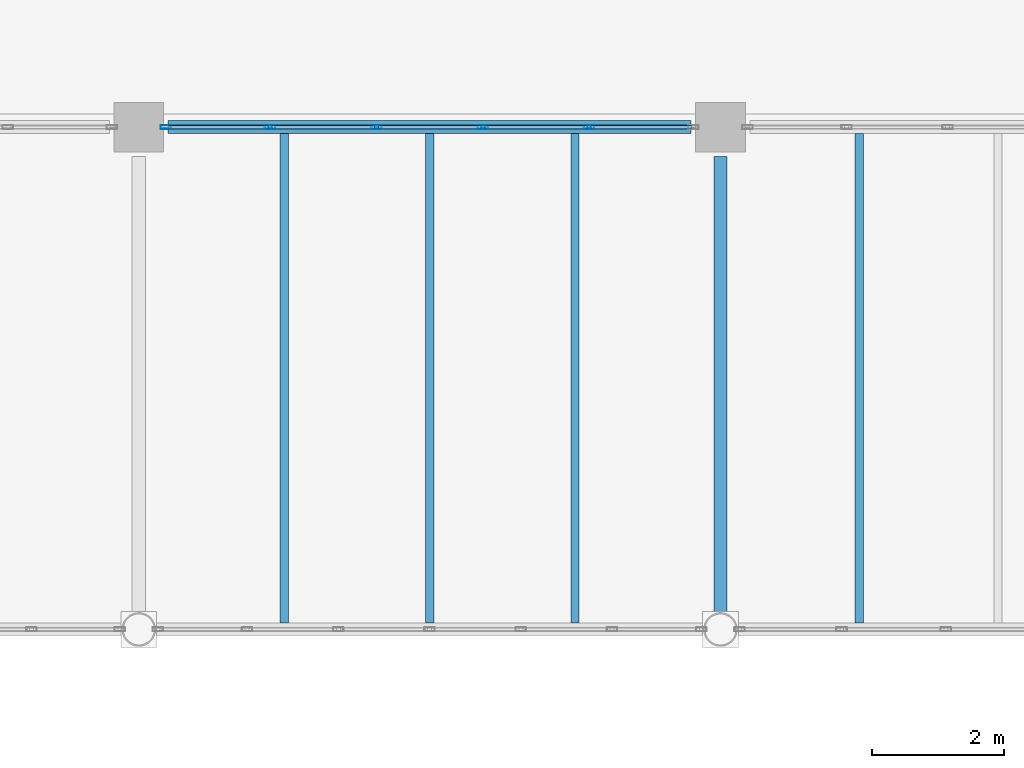
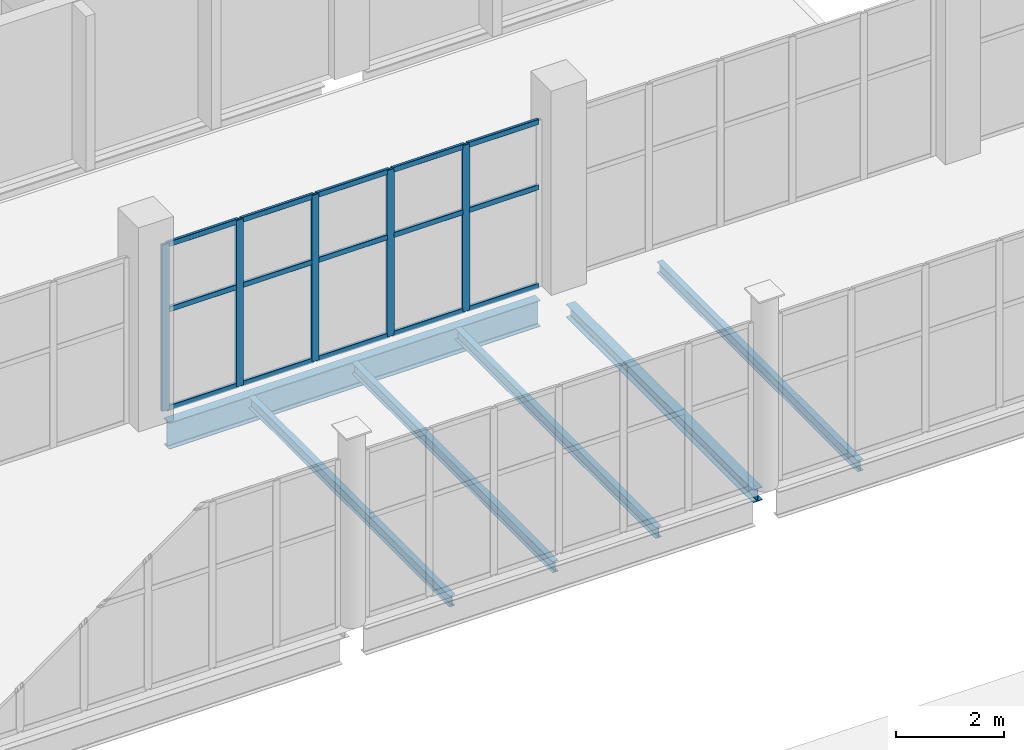
# One storey, part 60 of 136: 20 members, 6 beams, 1 element without a shape of its own.
"""IFC4 building model written with IfcOpenShell, lengths in metres."""

from ifc_helpers import new_model, si_unit, direction, frame, origin, origin_2d, place, context, subcontext, project, spatial, hollow_rectangle, i_section, extrude, material, material_profile, profile_set, type_object, element, aggregate, save


model = new_model("IFC4")

# Units and contexts
model_context = context("Model", 3, precision=1e-05, world=origin(), true_north=direction((0.0, 1.0)))
body_context = subcontext(model_context, "Body", "Model", "MODEL_VIEW")
ifc_project = project(units=[si_unit("LENGTHUNIT", "METRE"), si_unit("AREAUNIT", "SQUARE_METRE"), si_unit("VOLUMEUNIT", "CUBIC_METRE"), si_unit("PLANEANGLEUNIT", "RADIAN"), si_unit("MASSUNIT", "GRAM", prefix="KILO")], contexts=[model_context])

# Site, building, storey
site_placement = place(None, origin())
site = spatial("IfcSite", under=ifc_project, at=site_placement, CompositionType="ELEMENT")
building_placement = place(site_placement, origin())
building = spatial("IfcBuilding", under=site, at=building_placement, Name="Shengluoqiao Park Theatre", CompositionType="ELEMENT")
storey_placement = place(building_placement, frame((0.0, 0.0, 10.0)))
storey = spatial("IfcBuildingStorey", under=building, at=storey_placement, Name="L02", CompositionType="ELEMENT", Elevation=10.0)

# Curtain wall, members
ifc_material_1 = material(Name="Aluminium 6063-T6", Category="aluminium")
curtain_wall_type = type_object("IfcCurtainWallType", Name="ENV-CW-BRIDGE", PredefinedType="NOTDEFINED", material=ifc_material_1)
curtain_wall_placement = place(storey_placement, origin())
curtain_wall = element("IfcCurtainWall", 1, at=curtain_wall_placement, inside=storey, type_object=curtain_wall_type, Name="L02 Curtain Wall CWX-L02-0116", PredefinedType="NOTDEFINED")
ifc_material_profile_1 = material_profile(ifc_material_1, hollow_rectangle(XDim=0.06005859375, YDim=0.159912109375, WallThickness=0.00390625, InnerFilletRadius=0.00390625, OuterFilletRadius=0.008056640625, at=origin_2d()), Name="ALU MULLION 160x60x4")
ifc_profile_set_1 = profile_set([ifc_material_profile_1], Name="Aluminium 6063-T6")
member_type_1 = type_object("IfcMemberType", Name="ENV-MUL-160", PredefinedType="MULLION", material=ifc_profile_set_1)
member_1_placement = place(storey_placement, frame((95.60888671875, 76.0, 0.0), z_axis=(0.0, 0.0, 1.0), x_axis=(0.0, 1.0, 0.0)))
member_1 = element("IfcMember", 2, at=member_1_placement, type_object=member_type_1, Name="CW-03 mullion 1", PredefinedType="MULLION", context=body_context, shape_type="SweptSolid", body=[
    extrude(hollow_rectangle(XDim=0.06005859375, YDim=0.159912109375, WallThickness=0.00390625, InnerFilletRadius=0.00390625, OuterFilletRadius=0.008056640625, at=origin_2d()), origin(), (0.0, 0.0, 1.0), 3.751953125),
])
member_2_placement = place(storey_placement, frame((97.1875, 76.0, 0.0), z_axis=(0.0, 0.0, 1.0), x_axis=(0.0, 1.0, 0.0)))
member_2 = element("IfcMember", 3, at=member_2_placement, type_object=member_type_1, Name="CW-03 mullion 2", PredefinedType="MULLION", context=body_context, shape_type="SweptSolid", body=[
    extrude(hollow_rectangle(XDim=0.06005859375, YDim=0.159912109375, WallThickness=0.00390625, InnerFilletRadius=0.00390625, OuterFilletRadius=0.008056640625, at=origin_2d()), origin(), (0.0, 0.0, 1.0), 3.751953125),
])
member_3_placement = place(storey_placement, frame((98.7958984375, 76.0, 0.0), z_axis=(0.0, 0.0, 1.0), x_axis=(0.0, 1.0, 0.0)))
member_3 = element("IfcMember", 4, at=member_3_placement, type_object=member_type_1, Name="CW-03 mullion 3", PredefinedType="MULLION", context=body_context, shape_type="SweptSolid", body=[
    extrude(hollow_rectangle(XDim=0.06005859375, YDim=0.159912109375, WallThickness=0.00390625, InnerFilletRadius=0.00390625, OuterFilletRadius=0.008056640625, at=origin_2d()), origin(), (0.0, 0.0, 1.0), 3.751953125),
])
member_4_placement = place(storey_placement, frame((100.404296875, 76.0, 0.0), z_axis=(0.0, 0.0, 1.0), x_axis=(0.0, 1.0, 0.0)))
member_4 = element("IfcMember", 5, at=member_4_placement, type_object=member_type_1, Name="CW-03 mullion 4", PredefinedType="MULLION", context=body_context, shape_type="SweptSolid", body=[
    extrude(hollow_rectangle(XDim=0.06005859375, YDim=0.159912109375, WallThickness=0.00390625, InnerFilletRadius=0.00390625, OuterFilletRadius=0.008056640625, at=origin_2d()), origin(), (0.0, 0.0, 1.0), 3.751953125),
])
member_5_placement = place(storey_placement, frame((102.0126953125, 76.0, 0.0), z_axis=(0.0, 0.0, 1.0), x_axis=(0.0, 1.0, 0.0)))
member_5 = element("IfcMember", 6, at=member_5_placement, type_object=member_type_1, Name="CW-03 mullion 5", PredefinedType="MULLION", context=body_context, shape_type="SweptSolid", body=[
    extrude(hollow_rectangle(XDim=0.06005859375, YDim=0.159912109375, WallThickness=0.00390625, InnerFilletRadius=0.00390625, OuterFilletRadius=0.008056640625, at=origin_2d()), origin(), (0.0, 0.0, 1.0), 3.751953125),
])
ifc_material_profile_2 = material_profile(ifc_material_1, hollow_rectangle(XDim=0.06005859375, YDim=0.1201171875, WallThickness=0.00390625, InnerFilletRadius=0.00390625, OuterFilletRadius=0.008056640625, at=origin_2d()), Name="ALU TRANSOM 120x60x4")
ifc_profile_set_2 = profile_set([ifc_material_profile_2], Name="Aluminium 6063-T6")
member_type_2 = type_object("IfcMemberType", Name="ENV-TRN-120", PredefinedType="USERDEFINED", material=ifc_profile_set_2)
member_6_placement = place(storey_placement, frame((95.638916015625, 76.0, 0.030029296875), z_axis=(1.0, 0.0, 0.0), x_axis=(0.0, 1.0, 0.0)))
member_6 = element("IfcMember", 7, at=member_6_placement, type_object=member_type_2, Name="CW-03 transom 1.1", ObjectType="TRANSOM", PredefinedType="USERDEFINED", context=body_context, shape_type="SweptSolid", body=[
    extrude(hollow_rectangle(XDim=0.06005859375, YDim=0.1201171875, WallThickness=0.00390625, InnerFilletRadius=0.00390625, OuterFilletRadius=0.008056640625, at=origin_2d()), origin(), (0.0, 0.0, 1.0), 1.5185546875),
])
member_7_placement = place(storey_placement, frame((95.638916015625, 76.0, 2.2509765625), z_axis=(1.0, 0.0, 0.0), x_axis=(0.0, 1.0, 0.0)))
member_7 = element("IfcMember", 8, at=member_7_placement, type_object=member_type_2, Name="CW-03 transom 1.2", ObjectType="TRANSOM", PredefinedType="USERDEFINED", context=body_context, shape_type="SweptSolid", body=[
    extrude(hollow_rectangle(XDim=0.06005859375, YDim=0.1201171875, WallThickness=0.00390625, InnerFilletRadius=0.00390625, OuterFilletRadius=0.008056640625, at=origin_2d()), origin(), (0.0, 0.0, 1.0), 1.5185546875),
])
member_8_placement = place(storey_placement, frame((95.638916015625, 76.0, 3.721923828125), z_axis=(1.0, 0.0, 0.0), x_axis=(0.0, 1.0, 0.0)))
member_8 = element("IfcMember", 9, at=member_8_placement, type_object=member_type_2, Name="CW-03 transom 1.3", ObjectType="TRANSOM", PredefinedType="USERDEFINED", context=body_context, shape_type="SweptSolid", body=[
    extrude(hollow_rectangle(XDim=0.06005859375, YDim=0.1201171875, WallThickness=0.00390625, InnerFilletRadius=0.00390625, OuterFilletRadius=0.008056640625, at=origin_2d()), origin(), (0.0, 0.0, 1.0), 1.5185546875),
])
member_9_placement = place(storey_placement, frame((97.21728515625, 76.0, 0.030029296875), z_axis=(1.0, 0.0, 0.0), x_axis=(0.0, 1.0, 0.0)))
member_9 = element("IfcMember", 10, at=member_9_placement, type_object=member_type_2, Name="CW-03 transom 2.1", ObjectType="TRANSOM", PredefinedType="USERDEFINED", context=body_context, shape_type="SweptSolid", body=[
    extrude(hollow_rectangle(XDim=0.06005859375, YDim=0.1201171875, WallThickness=0.00390625, InnerFilletRadius=0.00390625, OuterFilletRadius=0.008056640625, at=origin_2d()), origin(), (0.0, 0.0, 1.0), 1.548583984375),
])
member_10_placement = place(storey_placement, frame((97.21728515625, 76.0, 2.2509765625), z_axis=(1.0, 0.0, 0.0), x_axis=(0.0, 1.0, 0.0)))
member_10 = element("IfcMember", 11, at=member_10_placement, type_object=member_type_2, Name="CW-03 transom 2.2", ObjectType="TRANSOM", PredefinedType="USERDEFINED", context=body_context, shape_type="SweptSolid", body=[
    extrude(hollow_rectangle(XDim=0.06005859375, YDim=0.1201171875, WallThickness=0.00390625, InnerFilletRadius=0.00390625, OuterFilletRadius=0.008056640625, at=origin_2d()), origin(), (0.0, 0.0, 1.0), 1.548583984375),
])
member_11_placement = place(storey_placement, frame((97.21728515625, 76.0, 3.721923828125), z_axis=(1.0, 0.0, 0.0), x_axis=(0.0, 1.0, 0.0)))
member_11 = element("IfcMember", 12, at=member_11_placement, type_object=member_type_2, Name="CW-03 transom 2.3", ObjectType="TRANSOM", PredefinedType="USERDEFINED", context=body_context, shape_type="SweptSolid", body=[
    extrude(hollow_rectangle(XDim=0.06005859375, YDim=0.1201171875, WallThickness=0.00390625, InnerFilletRadius=0.00390625, OuterFilletRadius=0.008056640625, at=origin_2d()), origin(), (0.0, 0.0, 1.0), 1.548583984375),
])
member_12_placement = place(storey_placement, frame((98.82568359375, 76.0, 0.030029296875), z_axis=(1.0, 0.0, 0.0), x_axis=(0.0, 1.0, 0.0)))
member_12 = element("IfcMember", 13, at=member_12_placement, type_object=member_type_2, Name="CW-03 transom 3.1", ObjectType="TRANSOM", PredefinedType="USERDEFINED", context=body_context, shape_type="SweptSolid", body=[
    extrude(hollow_rectangle(XDim=0.06005859375, YDim=0.1201171875, WallThickness=0.00390625, InnerFilletRadius=0.00390625, OuterFilletRadius=0.008056640625, at=origin_2d()), origin(), (0.0, 0.0, 1.0), 1.548583984375),
])
member_13_placement = place(storey_placement, frame((98.82568359375, 76.0, 2.2509765625), z_axis=(1.0, 0.0, 0.0), x_axis=(0.0, 1.0, 0.0)))
member_13 = element("IfcMember", 14, at=member_13_placement, type_object=member_type_2, Name="CW-03 transom 3.2", ObjectType="TRANSOM", PredefinedType="USERDEFINED", context=body_context, shape_type="SweptSolid", body=[
    extrude(hollow_rectangle(XDim=0.06005859375, YDim=0.1201171875, WallThickness=0.00390625, InnerFilletRadius=0.00390625, OuterFilletRadius=0.008056640625, at=origin_2d()), origin(), (0.0, 0.0, 1.0), 1.548583984375),
])
member_14_placement = place(storey_placement, frame((98.82568359375, 76.0, 3.721923828125), z_axis=(1.0, 0.0, 0.0), x_axis=(0.0, 1.0, 0.0)))
member_14 = element("IfcMember", 15, at=member_14_placement, type_object=member_type_2, Name="CW-03 transom 3.3", ObjectType="TRANSOM", PredefinedType="USERDEFINED", context=body_context, shape_type="SweptSolid", body=[
    extrude(hollow_rectangle(XDim=0.06005859375, YDim=0.1201171875, WallThickness=0.00390625, InnerFilletRadius=0.00390625, OuterFilletRadius=0.008056640625, at=origin_2d()), origin(), (0.0, 0.0, 1.0), 1.548583984375),
])
member_15_placement = place(storey_placement, frame((100.43408203125, 76.0, 0.030029296875), z_axis=(1.0, 0.0, 0.0), x_axis=(0.0, 1.0, 0.0)))
member_15 = element("IfcMember", 16, at=member_15_placement, type_object=member_type_2, Name="CW-03 transom 4.1", ObjectType="TRANSOM", PredefinedType="USERDEFINED", context=body_context, shape_type="SweptSolid", body=[
    extrude(hollow_rectangle(XDim=0.06005859375, YDim=0.1201171875, WallThickness=0.00390625, InnerFilletRadius=0.00390625, OuterFilletRadius=0.008056640625, at=origin_2d()), origin(), (0.0, 0.0, 1.0), 1.548583984375),
])
member_16_placement = place(storey_placement, frame((100.43408203125, 76.0, 2.2509765625), z_axis=(1.0, 0.0, 0.0), x_axis=(0.0, 1.0, 0.0)))
member_16 = element("IfcMember", 17, at=member_16_placement, type_object=member_type_2, Name="CW-03 transom 4.2", ObjectType="TRANSOM", PredefinedType="USERDEFINED", context=body_context, shape_type="SweptSolid", body=[
    extrude(hollow_rectangle(XDim=0.06005859375, YDim=0.1201171875, WallThickness=0.00390625, InnerFilletRadius=0.00390625, OuterFilletRadius=0.008056640625, at=origin_2d()), origin(), (0.0, 0.0, 1.0), 1.548583984375),
])
member_17_placement = place(storey_placement, frame((100.43408203125, 76.0, 3.721923828125), z_axis=(1.0, 0.0, 0.0), x_axis=(0.0, 1.0, 0.0)))
member_17 = element("IfcMember", 18, at=member_17_placement, type_object=member_type_2, Name="CW-03 transom 4.3", ObjectType="TRANSOM", PredefinedType="USERDEFINED", context=body_context, shape_type="SweptSolid", body=[
    extrude(hollow_rectangle(XDim=0.06005859375, YDim=0.1201171875, WallThickness=0.00390625, InnerFilletRadius=0.00390625, OuterFilletRadius=0.008056640625, at=origin_2d()), origin(), (0.0, 0.0, 1.0), 1.548583984375),
])
member_18_placement = place(storey_placement, frame((102.04248046875, 76.0, 0.030029296875), z_axis=(1.0, 0.0, 0.0), x_axis=(0.0, 1.0, 0.0)))
member_18 = element("IfcMember", 19, at=member_18_placement, type_object=member_type_2, Name="CW-03 transom 5.1", ObjectType="TRANSOM", PredefinedType="USERDEFINED", context=body_context, shape_type="SweptSolid", body=[
    extrude(hollow_rectangle(XDim=0.06005859375, YDim=0.1201171875, WallThickness=0.00390625, InnerFilletRadius=0.00390625, OuterFilletRadius=0.008056640625, at=origin_2d()), origin(), (0.0, 0.0, 1.0), 1.5185546875),
])
member_19_placement = place(storey_placement, frame((102.04248046875, 76.0, 2.2509765625), z_axis=(1.0, 0.0, 0.0), x_axis=(0.0, 1.0, 0.0)))
member_19 = element("IfcMember", 20, at=member_19_placement, type_object=member_type_2, Name="CW-03 transom 5.2", ObjectType="TRANSOM", PredefinedType="USERDEFINED", context=body_context, shape_type="SweptSolid", body=[
    extrude(hollow_rectangle(XDim=0.06005859375, YDim=0.1201171875, WallThickness=0.00390625, InnerFilletRadius=0.00390625, OuterFilletRadius=0.008056640625, at=origin_2d()), origin(), (0.0, 0.0, 1.0), 1.5185546875),
])
member_20_placement = place(storey_placement, frame((102.04248046875, 76.0, 3.721923828125), z_axis=(1.0, 0.0, 0.0), x_axis=(0.0, 1.0, 0.0)))
member_20 = element("IfcMember", 21, at=member_20_placement, type_object=member_type_2, Name="CW-03 transom 5.3", ObjectType="TRANSOM", PredefinedType="USERDEFINED", context=body_context, shape_type="SweptSolid", body=[
    extrude(hollow_rectangle(XDim=0.06005859375, YDim=0.1201171875, WallThickness=0.00390625, InnerFilletRadius=0.00390625, OuterFilletRadius=0.008056640625, at=origin_2d()), origin(), (0.0, 0.0, 1.0), 1.5185546875),
])
aggregate(curtain_wall, [member_1, member_2, member_3, member_4, member_5, member_6, member_7, member_8, member_9, member_10, member_11, member_12, member_13, member_14, member_15, member_16, member_17, member_18, member_19, member_20])

# Beams
ifc_material_2 = material(Name="Steel Q355", Category="steel")
ifc_material_profile_3 = material_profile(ifc_material_2, i_section(OverallWidth=0.199951171875, OverallDepth=0.2939453125, WebThickness=0.008056640625, FlangeThickness=0.011962890625, FilletRadius=0.01611328125, at=origin_2d()), Name="HM 294x200x8x12")
ifc_profile_set_3 = profile_set([ifc_material_profile_3], Name="Steel Q355")
beam_type_1 = type_object("IfcBeamType", Name="STR-BM-G-HM294", PredefinedType="BEAM", material=ifc_profile_set_3)
beam_1_placement = place(storey_placement, frame((104.0, 68.64794921875, -0.39697265625), z_axis=(0.0, 1.0, 0.0), x_axis=(-1.0, 0.0, 0.0)))
element("IfcBeam", 22, at=beam_1_placement, inside=storey, type_object=beam_type_1, Name="L02 Transverse Girder 01022", PredefinedType="BEAM", context=body_context, shape_type="SweptSolid", body=[
    extrude(i_section(OverallWidth=0.199951171875, OverallDepth=0.2939453125, WebThickness=0.008056640625, FlangeThickness=0.011962890625, FilletRadius=0.01611328125, at=origin_2d()), origin(), (0.0, 0.0, 1.0), 6.907958984375),
])
ifc_material_profile_4 = material_profile(ifc_material_2, i_section(OverallWidth=0.125, OverallDepth=0.25, WebThickness=0.006103515625, FlangeThickness=0.009033203125, FilletRadius=0.010009765625, at=origin_2d()), Name="HN 250x125x6x9")
ifc_profile_set_4 = profile_set([ifc_material_profile_4], Name="Steel Q355")
beam_type_2 = type_object("IfcBeamType", Name="STR-BM-J-HN250", PredefinedType="JOIST", material=ifc_profile_set_4)
for number, where, z_axis, x_axis, name in (
    (23, (97.39990234375, 68.494384765625, -0.375), (0.0, 1.0, 0.0), (-1.0, 0.0, 0.0), "L02 Composite Joist 01032"),
    (24, (99.60009765625, 68.494384765625, -0.375), (0.0, 1.0, 0.0), (-1.0, 0.0, 0.0), "L02 Composite Joist 01033"),
    (25, (101.800048828125, 68.494384765625, -0.375), (0.0, 1.0, 0.0), (-1.0, 0.0, 0.0), "L02 Composite Joist 01034"),
    (26, (106.10009765625, 68.494384765625, -0.375), (0.0, 1.0, 0.0), (-1.0, 0.0, 0.0), "L02 Composite Joist 01035"),
):
    element("IfcBeam", number, at=place(storey_placement, frame(where, z_axis=z_axis, x_axis=x_axis)), inside=storey, type_object=beam_type_2, Name=name, PredefinedType="JOIST", context=body_context, shape_type="SweptSolid", body=[
        extrude(i_section(OverallWidth=0.125, OverallDepth=0.25, WebThickness=0.006103515625, FlangeThickness=0.009033203125, FilletRadius=0.010009765625, at=origin_2d()), origin(), (0.0, 0.0, 1.0), 7.4111328125),
    ])
ifc_material_profile_5 = material_profile(ifc_material_2, i_section(OverallWidth=0.198974609375, OverallDepth=0.595947265625, WebThickness=0.010009765625, FlangeThickness=0.014892578125, FilletRadius=0.02001953125, at=origin_2d()), Name="HN 596x199x10x15")
ifc_profile_set_5 = profile_set([ifc_material_profile_5], Name="Steel Q355")
beam_type_3 = type_object("IfcBeamType", Name="STR-BM-SP-HN596", PredefinedType="SPANDREL", material=ifc_profile_set_5)
beam_2_placement = place(storey_placement, frame((95.64404296875, 76.0, -0.548095703125), z_axis=(1.0, 0.0, 0.0), x_axis=(0.0, 1.0, 0.0)))
element("IfcBeam", 27, at=beam_2_placement, inside=storey, type_object=beam_type_3, Name="L02 Primary Girder 01014", PredefinedType="SPANDREL", context=body_context, shape_type="SweptSolid", body=[
    extrude(i_section(OverallWidth=0.198974609375, OverallDepth=0.595947265625, WebThickness=0.010009765625, FlangeThickness=0.014892578125, FilletRadius=0.02001953125, at=origin_2d()), origin(), (0.0, 0.0, 1.0), 7.911865234375),
])

save(model, "model.ifc")
